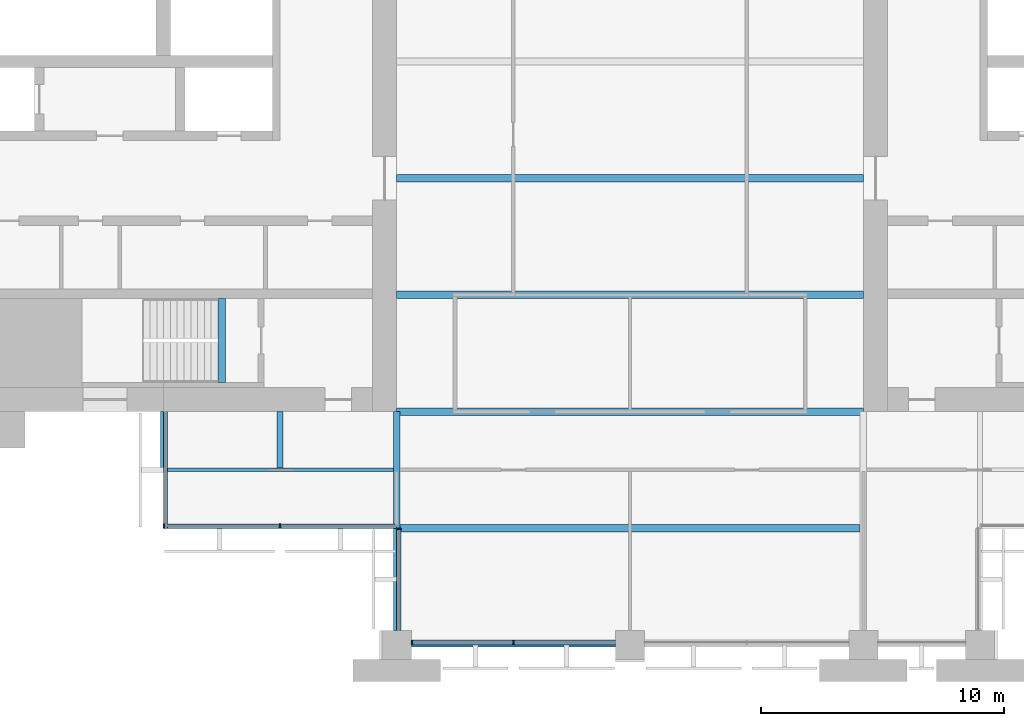
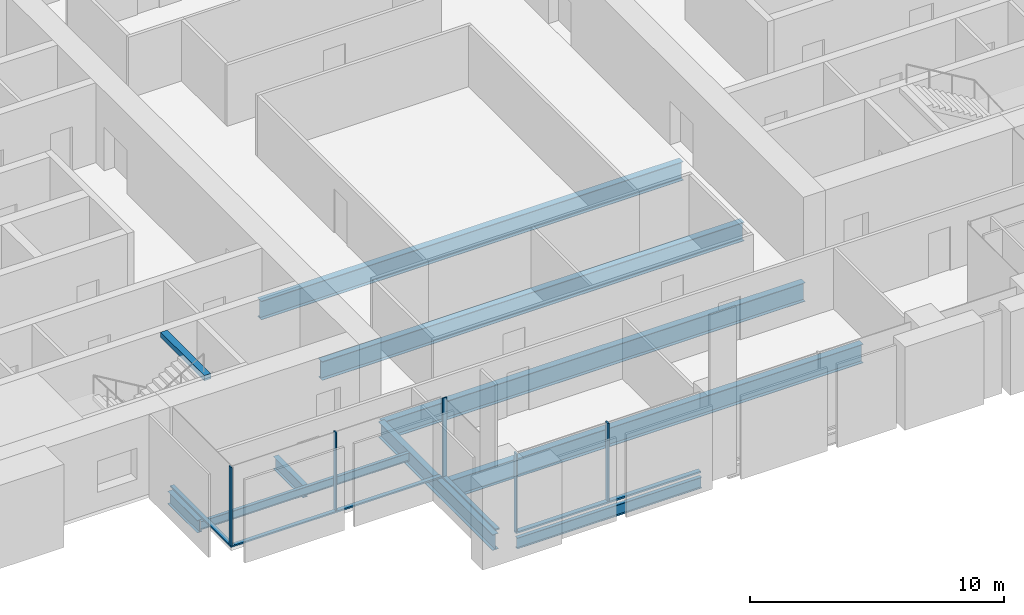
# One storey, part 2 of 14: 10 beams, 9 members, 4 elements without a shape of their own.
"""IFC4 building model written with IfcOpenShell, lengths in metres."""

from ifc_helpers import new_model, si_unit, direction, frame, origin, origin_2d, place, context, subcontext, project, spatial, rectangle, i_section, extrude, material, material_profile, profile_set, type_object, element, aggregate, save


model = new_model("IFC4")

# Units and contexts
model_context = context("Model", 3, precision=1e-05, world=origin(), true_north=direction((0.0, 1.0)))
body_context = subcontext(model_context, "Body", "Model", "MODEL_VIEW")
ifc_project = project(units=[si_unit("LENGTHUNIT", "METRE"), si_unit("AREAUNIT", "SQUARE_METRE"), si_unit("VOLUMEUNIT", "CUBIC_METRE"), si_unit("PLANEANGLEUNIT", "RADIAN"), si_unit("MASSUNIT", "GRAM", prefix="KILO")], contexts=[model_context])

# Site, building, storey
site_placement = place(None, origin())
site = spatial("IfcSite", under=ifc_project, at=site_placement, CompositionType="ELEMENT")
building_placement = place(site_placement, origin())
building = spatial("IfcBuilding", under=site, at=building_placement, Name="Baori Bourse Tower", CompositionType="ELEMENT")
storey_placement = place(building_placement, frame((0.0, 0.0, 168.10009765625)))
storey = spatial("IfcBuildingStorey", under=building, at=storey_placement, Name="L37", CompositionType="ELEMENT", Elevation=168.10009765625)

# Curtain wall, members
ifc_material_1 = material(Name="Pale anodised aluminium", Category="aluminium")
curtain_wall_type_1 = type_object("IfcCurtainWallType", Name="CW1 Curtain wall", PredefinedType="NOTDEFINED", material=ifc_material_1)
curtain_wall_1_placement = place(storey_placement, origin())
curtain_wall_1 = element("IfcCurtainWall", 1, at=curtain_wall_1_placement, inside=storey, type_object=curtain_wall_type_1, Name="Curtain wall CW1 L37 11", PredefinedType="NOTDEFINED")
ifc_material_2 = material(Name="Pale anodised aluminium", Category="aluminium")
ifc_material_profile_1 = material_profile(ifc_material_2, rectangle(XDim=0.199951171875, YDim=0.06005859375, at=origin_2d()), Name="Mullion 60x200")
ifc_profile_set_1 = profile_set([ifc_material_profile_1], Name="Pale anodised aluminium")
member_type_1 = type_object("IfcMemberType", Name="CW1 Curtain wall mullion", PredefinedType="MULLION", material=ifc_profile_set_1)
member_1_placement = place(storey_placement, frame((19.830078125, 0.10009765625, 0.079833984375), z_axis=(0.0, 0.0, 1.0), x_axis=(0.0, 1.0, 0.0)))
member_1 = element("IfcMember", 2, at=member_1_placement, type_object=member_type_1, Name="Curtain wall CW1 mullion", PredefinedType="MULLION", context=body_context, shape_type="SweptSolid", body=[
    extrude(rectangle(XDim=0.199951171875, YDim=0.06005859375, at=origin_2d()), origin(), (0.0, 0.0, 1.0), 3.760009765625),
])
member_2_placement = place(storey_placement, frame((24.0, 0.10009765625, 0.079833984375), z_axis=(0.0, 0.0, 1.0), x_axis=(0.0, 1.0, 0.0)))
member_2 = element("IfcMember", 3, at=member_2_placement, type_object=member_type_1, Name="Curtain wall CW1 mullion", PredefinedType="MULLION", context=body_context, shape_type="SweptSolid", body=[
    extrude(rectangle(XDim=0.199951171875, YDim=0.06005859375, at=origin_2d()), origin(), (0.0, 0.0, 1.0), 3.760009765625),
])
ifc_material_3 = material(Name="Pale anodised aluminium", Category="aluminium")
ifc_material_profile_2 = material_profile(ifc_material_3, rectangle(XDim=0.199951171875, YDim=0.080078125, at=origin_2d()), Name="Transom 80x200")
ifc_profile_set_2 = profile_set([ifc_material_profile_2], Name="Pale anodised aluminium")
member_type_2 = type_object("IfcMemberType", Name="CW1 Curtain wall transom", PredefinedType="USERDEFINED", material=ifc_profile_set_2)
member_3_placement = place(storey_placement, frame((19.800048828125, 0.10009765625, 0.039794921875), z_axis=(1.0, 0.0, 0.0), x_axis=(0.0, 1.0, 0.0)))
member_3 = element("IfcMember", 4, at=member_3_placement, type_object=member_type_2, Name="Curtain wall CW1 sill rail", ObjectType="TRANSOM", PredefinedType="USERDEFINED", context=body_context, shape_type="SweptSolid", body=[
    extrude(rectangle(XDim=0.199951171875, YDim=0.080078125, at=origin_2d()), origin(), (0.0, 0.0, 1.0), 8.39990234375),
])
aggregate(curtain_wall_1, [member_3, member_1, member_2])

ifc_material_4 = material(Name="Pale anodised aluminium", Category="aluminium")
curtain_wall_type_2 = type_object("IfcCurtainWallType", Name="CW2 Curtain wall", PredefinedType="NOTDEFINED", material=ifc_material_4)
curtain_wall_2_placement = place(storey_placement, origin())
curtain_wall_2 = element("IfcCurtainWall", 5, at=curtain_wall_2_placement, inside=storey, type_object=curtain_wall_type_2, Name="Curtain wall CW2 L37 9", PredefinedType="NOTDEFINED")
ifc_material_5 = material(Name="Pale anodised aluminium", Category="aluminium")
ifc_material_profile_3 = material_profile(ifc_material_5, rectangle(XDim=0.179931640625, YDim=0.054931640625, at=origin_2d()), Name="Mullion 55x180")
ifc_profile_set_3 = profile_set([ifc_material_profile_3], Name="Pale anodised aluminium")
member_type_3 = type_object("IfcMemberType", Name="CW2 Curtain wall mullion", PredefinedType="MULLION", material=ifc_profile_set_3)
member_4_placement = place(storey_placement, frame((9.62744140625, 4.889892578125, 0.06982421875), z_axis=(0.0, 0.0, 1.0), x_axis=(0.0, 1.0, 0.0)))
member_4 = element("IfcMember", 6, at=member_4_placement, type_object=member_type_3, Name="Curtain wall CW2 mullion", PredefinedType="MULLION", context=body_context, shape_type="SweptSolid", body=[
    extrude(rectangle(XDim=0.179931640625, YDim=0.054931640625, at=origin_2d()), origin(), (0.0, 0.0, 1.0), 3.77001953125),
])
member_5_placement = place(storey_placement, frame((14.39990234375, 4.889892578125, 0.06982421875), z_axis=(0.0, 0.0, 1.0), x_axis=(0.0, 1.0, 0.0)))
member_5 = element("IfcMember", 7, at=member_5_placement, type_object=member_type_3, Name="Curtain wall CW2 mullion", PredefinedType="MULLION", context=body_context, shape_type="SweptSolid", body=[
    extrude(rectangle(XDim=0.179931640625, YDim=0.054931640625, at=origin_2d()), origin(), (0.0, 0.0, 1.0), 3.77001953125),
])

# Curtain wall, member
curtain_wall_3_placement = place(storey_placement, origin())
curtain_wall_3 = element("IfcCurtainWall", 8, at=curtain_wall_3_placement, inside=storey, type_object=curtain_wall_type_2, Name="Curtain wall CW2 L37 10", PredefinedType="NOTDEFINED")
member_6_placement = place(storey_placement, frame((19.2900390625, 4.7724609375, 0.06982421875), z_axis=(0.0, 0.0, 1.0), x_axis=(1.0, 0.0, 0.0)))
member_6 = element("IfcMember", 9, at=member_6_placement, type_object=member_type_3, Name="Curtain wall CW2 mullion", PredefinedType="MULLION", context=body_context, shape_type="SweptSolid", body=[
    extrude(rectangle(XDim=0.179931640625, YDim=0.054931640625, at=origin_2d()), origin(), (0.0, 0.0, 1.0), 3.77001953125),
])

curtain_wall_4_placement = place(storey_placement, origin())
curtain_wall_4 = element("IfcCurtainWall", 10, at=curtain_wall_4_placement, inside=storey, type_object=curtain_wall_type_2, Name="Curtain wall CW2 L37 8", PredefinedType="NOTDEFINED")
ifc_material_6 = material(Name="Pale anodised aluminium", Category="aluminium")
ifc_material_profile_4 = material_profile(ifc_material_6, rectangle(XDim=0.179931640625, YDim=0.070068359375, at=origin_2d()), Name="Transom 70x180")
ifc_profile_set_4 = profile_set([ifc_material_profile_4], Name="Pale anodised aluminium")
member_type_4 = type_object("IfcMemberType", Name="CW2 Curtain wall transom", PredefinedType="USERDEFINED", material=ifc_profile_set_4)
member_7_placement = place(storey_placement, frame((9.68994140625, 9.60009765625, 0.034912109375), z_axis=(0.0, -1.0, 0.0), x_axis=(1.0, 0.0, 0.0)))
member_7 = element("IfcMember", 11, at=member_7_placement, type_object=member_type_4, Name="Curtain wall CW2 sill rail", ObjectType="TRANSOM", PredefinedType="USERDEFINED", context=body_context, shape_type="SweptSolid", body=[
    extrude(rectangle(XDim=0.179931640625, YDim=0.070068359375, at=origin_2d()), origin(), (0.0, 0.0, 1.0), 4.800048828125),
])
aggregate(curtain_wall_4, [member_7])

# Member
member_8_placement = place(storey_placement, frame((9.60009765625, 4.889892578125, 0.034912109375), z_axis=(1.0, 0.0, 0.0), x_axis=(0.0, 1.0, 0.0)))
member_8 = element("IfcMember", 12, at=member_8_placement, type_object=member_type_4, Name="Curtain wall CW2 sill rail", ObjectType="TRANSOM", PredefinedType="USERDEFINED", context=body_context, shape_type="SweptSolid", body=[
    extrude(rectangle(XDim=0.179931640625, YDim=0.070068359375, at=origin_2d()), origin(), (0.0, 0.0, 1.0), 9.599853515625),
])

aggregate(curtain_wall_2, [member_8, member_4, member_5])

member_9_placement = place(storey_placement, frame((19.2900390625, 4.800048828125, 0.034912109375), z_axis=(0.0, -1.0, 0.0), x_axis=(1.0, 0.0, 0.0)))
member_9 = element("IfcMember", 13, at=member_9_placement, type_object=member_type_4, Name="Curtain wall CW2 sill rail", ObjectType="TRANSOM", PredefinedType="USERDEFINED", context=body_context, shape_type="SweptSolid", body=[
    extrude(rectangle(XDim=0.179931640625, YDim=0.070068359375, at=origin_2d()), origin(), (0.0, 0.0, 1.0), 4.199951171875),
])

aggregate(curtain_wall_3, [member_9, member_6])

# Beams
ifc_material_7 = material(Name="Steel A992 Gr 50", Category="steel")
ifc_material_profile_5 = material_profile(ifc_material_7, i_section(OverallWidth=0.227783203125, OverallDepth=0.60205078125, WebThickness=0.010498046875, FlangeThickness=0.014892578125, at=origin_2d()), Name="W24x68")
ifc_profile_set_5 = profile_set([ifc_material_profile_5], Name="Steel A992 Gr 50")
beam_type_1 = type_object("IfcBeamType", Name="Core bracket W24x68", PredefinedType="BEAM", material=ifc_profile_set_5)
for number, where, z_axis, x_axis, name in (
    (14, (9.60009765625, 7.270263671875, -0.461181640625), (0.0, 1.0, 0.0), (-1.0, 0.0, 0.0), "Core bracket L37"),
    (15, (14.39990234375, 7.270263671875, -0.461181640625), (0.0, 1.0, 0.0), (-1.0, 0.0, 0.0), "Core bracket L37"),
):
    element("IfcBeam", number, at=place(storey_placement, frame(where, z_axis=z_axis, x_axis=x_axis)), inside=storey, type_object=beam_type_1, Name=name, PredefinedType="BEAM", context=body_context, shape_type="SweptSolid", body=[
        extrude(i_section(OverallWidth=0.227783203125, OverallDepth=0.60205078125, WebThickness=0.010498046875, FlangeThickness=0.014892578125, at=origin_2d()), origin(), (0.0, 0.0, 1.0), 2.329833984375),
    ])
ifc_material_8 = material(Name="Steel A992 Gr 50", Category="steel")
ifc_material_profile_6 = material_profile(ifc_material_8, i_section(OverallWidth=0.1650390625, OverallDepth=0.52587890625, WebThickness=0.0087890625, FlangeThickness=0.011474609375, at=origin_2d()), Name="W21x44")
ifc_profile_set_6 = profile_set([ifc_material_profile_6], Name="Steel A992 Gr 50")
beam_type_2 = type_object("IfcBeamType", Name="Edge beam W21x44", PredefinedType="BEAM", material=ifc_profile_set_6)
beam_1_placement = place(storey_placement, frame((19.800048828125, 0.0, -0.423095703125), z_axis=(1.0, 0.0, 0.0), x_axis=(0.0, 1.0, 0.0)))
element("IfcBeam", 16, at=beam_1_placement, inside=storey, type_object=beam_type_2, Name="Edge beam L37", PredefinedType="BEAM", context=body_context, shape_type="SweptSolid", body=[
    extrude(i_section(OverallWidth=0.1650390625, OverallDepth=0.52587890625, WebThickness=0.0087890625, FlangeThickness=0.011474609375, at=origin_2d()), origin(), (0.0, 0.0, 1.0), 8.39990234375),
])
ifc_material_9 = material(Name="Steel A992 Gr 50", Category="steel")
ifc_material_profile_7 = material_profile(ifc_material_9, i_section(OverallWidth=0.3046875, OverallDepth=0.904296875, WebThickness=0.01513671875, FlangeThickness=0.02001953125, at=origin_2d()), Name="W36x135")
ifc_profile_set_7 = profile_set([ifc_material_profile_7], Name="Steel A992 Gr 50")
beam_type_3 = type_object("IfcBeamType", Name="Floor beam W36x135", PredefinedType="BEAM", material=ifc_profile_set_7)
beam_2_placement = place(storey_placement, frame((19.333251953125, 4.800048828125, -0.6123046875), z_axis=(1.0, 0.0, 0.0), x_axis=(0.0, 1.0, 0.0)))
element("IfcBeam", 17, at=beam_2_placement, inside=storey, type_object=beam_type_3, Name="Floor beam L37", PredefinedType="BEAM", context=body_context, shape_type="SweptSolid", body=[
    extrude(i_section(OverallWidth=0.3046875, OverallDepth=0.904296875, WebThickness=0.01513671875, FlangeThickness=0.02001953125, at=origin_2d()), origin(), (0.0, 0.0, 1.0), 18.9345703125),
])
for number, where, z_axis, x_axis, name in (
    (18, (19.199951171875, 9.60009765625, -0.6123046875), (1.0, 0.0, 0.0), (0.0, 1.0, 0.0), "Floor beam L37"),
    (19, (19.199951171875, 14.39990234375, -0.6123046875), (1.0, 0.0, 0.0), (0.0, 1.0, 0.0), "Floor beam L37"),
    (20, (19.199951171875, 19.199951171875, -0.6123046875), (1.0, 0.0, 0.0), (0.0, 1.0, 0.0), "Floor beam L37"),
):
    element("IfcBeam", number, at=place(storey_placement, frame(where, z_axis=z_axis, x_axis=x_axis)), inside=storey, type_object=beam_type_3, Name=name, PredefinedType="BEAM", context=body_context, shape_type="SweptSolid", body=[
        extrude(i_section(OverallWidth=0.3046875, OverallDepth=0.904296875, WebThickness=0.01513671875, FlangeThickness=0.02001953125, at=origin_2d()), origin(), (0.0, 0.0, 1.0), 19.199951171875),
    ])
ifc_material_10 = material(Name="Steel A992 Gr 50", Category="steel")
ifc_material_profile_8 = material_profile(ifc_material_10, i_section(OverallWidth=0.2666015625, OverallDepth=0.7568359375, WebThickness=0.013916015625, FlangeThickness=0.019287109375, at=origin_2d()), Name="W30x108")
ifc_profile_set_8 = profile_set([ifc_material_profile_8], Name="Steel A992 Gr 50")
beam_type_4 = type_object("IfcBeamType", Name="Girder W30x108", PredefinedType="BEAM", material=ifc_profile_set_8)
beam_3_placement = place(storey_placement, frame((19.199951171875, 0.60009765625, -0.53857421875), z_axis=(0.0, 1.0, 0.0), x_axis=(-1.0, 0.0, 0.0)))
element("IfcBeam", 21, at=beam_3_placement, inside=storey, type_object=beam_type_4, Name="Girder L37", PredefinedType="BEAM", context=body_context, shape_type="SweptSolid", body=[
    extrude(i_section(OverallWidth=0.2666015625, OverallDepth=0.7568359375, WebThickness=0.013916015625, FlangeThickness=0.019287109375, at=origin_2d()), origin(), (0.0, 0.0, 1.0), 9.0),
])
ifc_material_11 = material(Name="Concrete f'c 50 MPa", Category="concrete")
ifc_material_profile_9 = material_profile(ifc_material_11, rectangle(XDim=0.300048828125, YDim=0.25, at=origin_2d()), Name="RC 300x250")
ifc_profile_set_9 = profile_set([ifc_material_profile_9], Name="Concrete f'c 50 MPa")
beam_type_5 = type_object("IfcBeamType", Name="Stair nib beam RC 300x250", PredefinedType="BEAM", material=ifc_profile_set_9)
beam_4_placement = place(storey_placement, frame((12.0, 10.800048828125, 3.71484375), z_axis=(0.0, 1.0, 0.0), x_axis=(-1.0, 0.0, 0.0)))
element("IfcBeam", 22, at=beam_4_placement, inside=storey, type_object=beam_type_5, Name="Stair WA nib beam L38", PredefinedType="BEAM", context=body_context, shape_type="SweptSolid", body=[
    extrude(rectangle(XDim=0.300048828125, YDim=0.25, at=origin_2d()), origin(), (0.0, 0.0, 1.0), 3.449951171875),
])
ifc_material_12 = material(Name="Steel A992 Gr 50", Category="steel")
ifc_material_profile_10 = material_profile(ifc_material_12, i_section(OverallWidth=0.140380859375, OverallDepth=0.40380859375, WebThickness=0.007080078125, FlangeThickness=0.01123046875, at=origin_2d()), Name="W16x31")
ifc_profile_set_10 = profile_set([ifc_material_profile_10], Name="Steel A992 Gr 50")
beam_type_6 = type_object("IfcBeamType", Name="Trimmer beam W16x31", PredefinedType="BEAM", material=ifc_profile_set_10)
beam_5_placement = place(storey_placement, frame((9.60009765625, 7.199951171875, -0.362060546875), z_axis=(1.0, 0.0, 0.0), x_axis=(0.0, 1.0, 0.0)))
element("IfcBeam", 23, at=beam_5_placement, inside=storey, type_object=beam_type_6, Name="Trimmer beam L37", PredefinedType="BEAM", context=body_context, shape_type="SweptSolid", body=[
    extrude(i_section(OverallWidth=0.140380859375, OverallDepth=0.40380859375, WebThickness=0.007080078125, FlangeThickness=0.01123046875, at=origin_2d()), origin(), (0.0, 0.0, 1.0), 9.466552734375),
])

save(model, "model.ifc")
